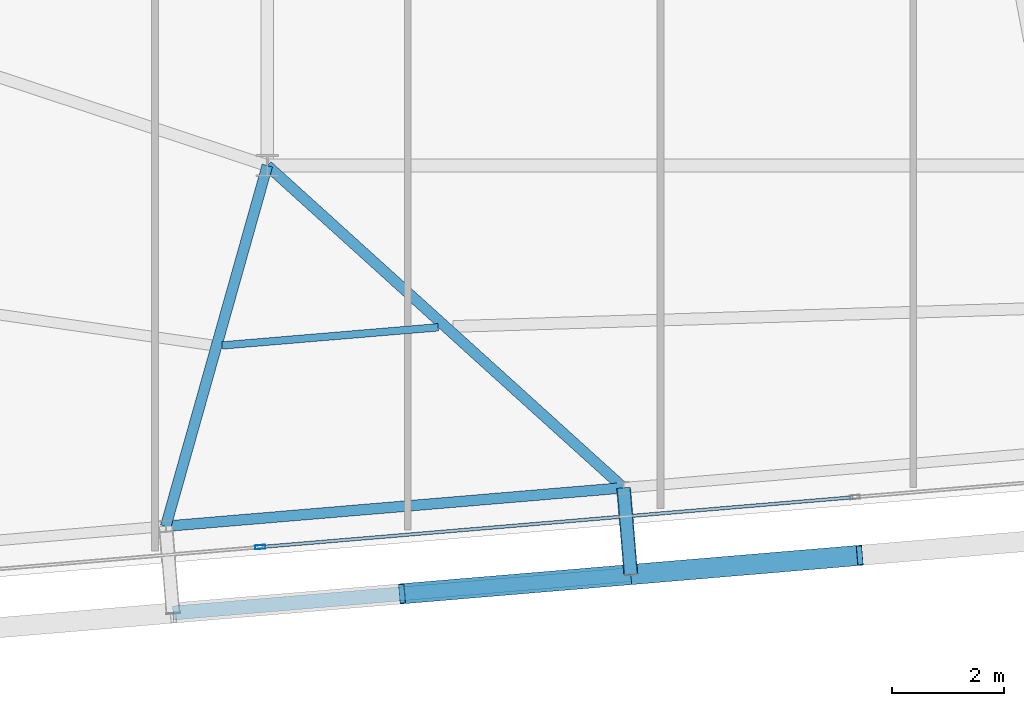
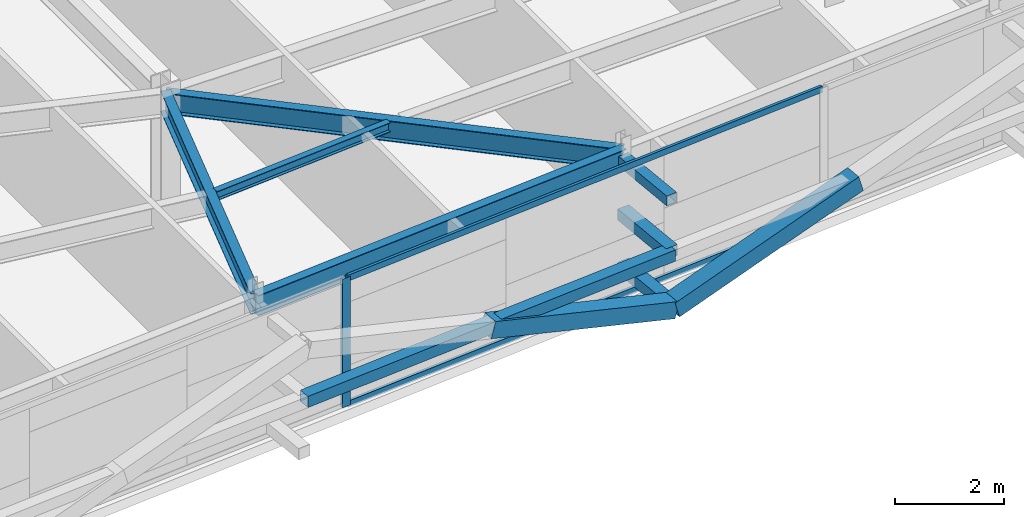
# One storey, part 9 of 39: 9 members, 4 beams, 1 element without a shape of its own.
"""IFC4 building model written with IfcOpenShell, lengths in metres."""

from ifc_helpers import new_model, si_unit, direction, frame, origin, origin_2d, place, context, subcontext, project, spatial, hollow_rectangle, i_section, extrude, source, transform, mapped, material, layer, layer_set, material_profile, profile_set, type_object, element, aggregate, save


model = new_model("IFC4")

# Units and contexts
model_context = context("Model", 3, precision=1e-05, world=origin(), true_north=direction((0.0, 1.0)))
body_context = subcontext(model_context, "Body", "Model", "MODEL_VIEW")
ifc_project = project(units=[si_unit("LENGTHUNIT", "METRE"), si_unit("AREAUNIT", "SQUARE_METRE"), si_unit("VOLUMEUNIT", "CUBIC_METRE"), si_unit("PLANEANGLEUNIT", "RADIAN"), si_unit("MASSUNIT", "GRAM", prefix="KILO")], contexts=[model_context])

# Site, building, storey
site_placement = place(None, origin())
site = spatial("IfcSite", under=ifc_project, at=site_placement, CompositionType="ELEMENT")
building_placement = place(site_placement, origin())
building = spatial("IfcBuilding", under=site, at=building_placement, Name="Taldren Reach Tower", CompositionType="ELEMENT")
storey_placement = place(building_placement, frame((0.0, 0.0, 204.050048828125)))
storey = spatial("IfcBuildingStorey", under=building, at=storey_placement, Name="L62", CompositionType="ELEMENT", Elevation=204.050048828125)

# Members
ifc_material_1 = material(Name="Steel Gr 350 (C350L0)", Category="steel")
ifc_material_profile_1 = material_profile(ifc_material_1, hollow_rectangle(XDim=0.25, YDim=0.25, WallThickness=0.010009765625, at=origin_2d()), Name="250x250x10.0SHS")
ifc_profile_set_1 = profile_set([ifc_material_profile_1], Name="Steel Gr 350 (C350L0)")
member_type_1 = type_object("IfcMemberType", Name="MB-POST250", PredefinedType="POST", material=ifc_profile_set_1)
shared_shape_1 = source(origin(), body_context, "Body", "SweptSolid", [
    extrude(hollow_rectangle(XDim=0.25, YDim=0.25, WallThickness=0.010009765625, at=origin_2d()), origin(), (0.0, 0.0, 1.0), 1.5498046875),
])
for number, where, z_axis, x_axis, name in (
    (1, (34.34228515625, 3.462890625, 0.219970703125), (0.083645141657, -0.996495604746, 0.0), (0.996495604746, 0.083645141657, 0.0), "Exoskeleton base diaphragm tie strut B4-S3 L62"),
    (2, (34.34228515625, 3.462890625, 1.405029296875), (0.083645141657, -0.996495604746, 0.0), (0.996495604746, 0.083645141657, 0.0), "Exoskeleton mid-tier diaphragm tie B4-S3 L62"),
):
    element("IfcMember", number, at=place(storey_placement, frame(where, z_axis=z_axis, x_axis=x_axis)), inside=storey, type_object=member_type_1, Name=name, PredefinedType="POST", context=body_context, shape_type="MappedRepresentation", body=[
        mapped(shared_shape_1, transform((0.0, 0.0, 0.0), scale=1.0)),
    ])

# Beams
ifc_material_2 = material(Name="Steel Gr 350 (350PLUS)", Category="steel")
ifc_material_profile_2 = material_profile(ifc_material_2, i_section(OverallWidth=0.18994140625, OverallDepth=0.4541015625, WebThickness=0.008544921875, FlangeThickness=0.0126953125, at=origin_2d()), Name="460UB67.1")
ifc_profile_set_2 = profile_set([ifc_material_profile_2], Name="Steel Gr 350 (350PLUS)")
beam_type_1 = type_object("IfcBeamType", Name="SP-UB460B", PredefinedType="SPANDREL", material=ifc_profile_set_2)
shared_shape_2 = source(origin(), body_context, "Body", "SweptSolid", [
    extrude(i_section(OverallWidth=0.18994140625, OverallDepth=0.4541015625, WebThickness=0.008544921875, FlangeThickness=0.0126953125, at=origin_2d()), origin(), (0.0, 0.0, 1.0), 8.179931640625),
])
beam_1_placement = place(storey_placement, frame((26.19091796875, 2.778564453125, 2.64306640625), z_axis=(0.996494523218, 0.083658025296, 0.0), x_axis=(-0.083658025296, 0.996494523218, 0.0)))
element("IfcBeam", 3, at=beam_1_placement, inside=storey, type_object=beam_type_1, Name="Perimeter spandrel B4 S2-S3 L62", PredefinedType="SPANDREL", context=body_context, shape_type="MappedRepresentation", body=[
    mapped(shared_shape_2, transform((0.0, 0.0, 0.0), scale=1.0)),
])
ifc_material_profile_3 = material_profile(ifc_material_2, i_section(OverallWidth=0.19091796875, OverallDepth=0.4599609375, WebThickness=0.010009765625, FlangeThickness=0.01611328125, at=origin_2d()), Name="460UB82.1")
ifc_profile_set_3 = profile_set([ifc_material_profile_3], Name="Steel Gr 350 (350PLUS)")
beam_type_2 = type_object("IfcBeamType", Name="BM-UB460A", PredefinedType="BEAM", material=ifc_profile_set_3)
shared_shape_3 = source(origin(), body_context, "Body", "SweptSolid", [
    extrude(i_section(OverallWidth=0.19091796875, OverallDepth=0.4599609375, WebThickness=0.010009765625, FlangeThickness=0.01611328125, at=origin_2d()), origin(), (0.0, 0.0, 1.0), 6.67138671875),
])
beam_2_placement = place(storey_placement, frame((28.0, 9.199951171875, 2.639892578125), z_axis=(-0.271171579948, -0.962531025073, 0.0), x_axis=(0.962531025073, -0.271171579948, 0.0)))
element("IfcBeam", 4, at=beam_2_placement, inside=storey, type_object=beam_type_2, Name="Primary floor girder B4-S2 L62", PredefinedType="BEAM", context=body_context, shape_type="MappedRepresentation", body=[
    mapped(shared_shape_3, transform((0.0, 0.0, 0.0), scale=1.0)),
])
shared_shape_4 = source(origin(), body_context, "Body", "SweptSolid", [
    extrude(i_section(OverallWidth=0.19091796875, OverallDepth=0.4599609375, WebThickness=0.010009765625, FlangeThickness=0.01611328125, at=origin_2d()), origin(), (0.0, 0.0, 1.0), 8.552001953125),
])
beam_3_placement = place(storey_placement, frame((28.0, 9.199951171875, 2.639892578125), z_axis=(0.741605435155, -0.670836327689, 0.0), x_axis=(0.670836327689, 0.741605435155, 0.0)))
element("IfcBeam", 5, at=beam_3_placement, inside=storey, type_object=beam_type_2, Name="Primary floor girder B4-S3 L62", PredefinedType="BEAM", context=body_context, shape_type="MappedRepresentation", body=[
    mapped(shared_shape_4, transform((0.0, 0.0, 0.0), scale=1.0)),
])
ifc_material_3 = material(Name="Steel Gr 300 (300PLUS, 300 MPa)", Category="steel")
ifc_material_profile_4 = material_profile(ifc_material_3, i_section(OverallWidth=0.134033203125, OverallDepth=0.20703125, WebThickness=0.00634765625, FlangeThickness=0.009521484375, at=origin_2d()), Name="200UB29.8")
ifc_profile_set_4 = profile_set([ifc_material_profile_4], Name="Steel Gr 300 (300PLUS, 300 MPa)")
beam_type_3 = type_object("IfcBeamType", Name="JS-UB200", PredefinedType="JOIST", material=ifc_profile_set_4)
shared_shape_5 = source(origin(), body_context, "Body", "SweptSolid", [
    extrude(i_section(OverallWidth=0.134033203125, OverallDepth=0.20703125, WebThickness=0.00634765625, FlangeThickness=0.009521484375, at=origin_2d()), origin(), (0.0, 0.0, 1.0), 3.857177734375),
])
beam_4_placement = place(storey_placement, frame((27.197021484375, 5.997802734375, 2.766357421875), z_axis=(0.996493179166, 0.083674033464, 0.0), x_axis=(-0.083674033464, 0.996493179166, 0.0)))
element("IfcBeam", 6, at=beam_4_placement, inside=storey, type_object=beam_type_3, Name="Secondary floor joist B4 J2 L62", PredefinedType="JOIST", context=body_context, shape_type="MappedRepresentation", body=[
    mapped(shared_shape_5, transform((0.0, 0.0, 0.0), scale=1.0)),
])

# Members
ifc_material_4 = material(Name="Steel Gr 450 (C450L0)", Category="steel")
ifc_material_profile_5 = material_profile(ifc_material_4, hollow_rectangle(XDim=0.219970703125, YDim=0.219970703125, WallThickness=0.00830078125, at=origin_2d()), Name="220x220x8.2SHS")
ifc_profile_set_5 = profile_set([ifc_material_profile_5], Name="Steel Gr 450 (C450L0)")
member_type_2 = type_object("IfcMemberType", Name="MB-TIE219", PredefinedType="STRUT", material=ifc_profile_set_5)
shared_shape_6 = source(origin(), body_context, "Body", "SweptSolid", [
    extrude(hollow_rectangle(XDim=0.219970703125, YDim=0.219970703125, WallThickness=0.00830078125, at=origin_2d()), origin(), (0.0, 0.0, 1.0), 1.5498046875),
])
member_1_placement = place(storey_placement, frame((34.34228515625, 3.462890625, 2.58984375), z_axis=(0.083645141657, -0.996495604746, 0.0), x_axis=(0.996495604746, 0.083645141657, 0.0)))
element("IfcMember", 7, at=member_1_placement, inside=storey, type_object=member_type_2, Name="Exoskeleton diaphragm tie strut B4-S3 L62", PredefinedType="STRUT", context=body_context, shape_type="MappedRepresentation", body=[
    mapped(shared_shape_6, transform((0.0, 0.0, 0.0), scale=1.0)),
])
shared_shape_7 = source(origin(), body_context, "Body", "SweptSolid", [
    extrude(hollow_rectangle(XDim=0.25, YDim=0.25, WallThickness=0.010009765625, at=origin_2d()), origin(), (0.0, 0.0, 1.0), 8.18017578125),
])
member_2_placement = place(storey_placement, frame((26.320556640625, 1.23388671875, 1.405029296875), z_axis=(0.996492034688, 0.083687662192, 0.0), x_axis=(-0.083687662192, 0.996492034688, 0.0)))
element("IfcMember", 8, at=member_2_placement, inside=storey, type_object=member_type_1, Name="Exoskeleton mid-height ring chord B4-S2 L62", PredefinedType="POST", context=body_context, shape_type="MappedRepresentation", body=[
    mapped(shared_shape_7, transform((0.0, 0.0, 0.0), scale=1.0)),
])
ifc_material_profile_6 = material_profile(ifc_material_4, hollow_rectangle(XDim=0.360107421875, YDim=0.360107421875, WallThickness=0.0126953125, at=origin_2d()), Name="360x360x12.7SHS")
ifc_profile_set_6 = profile_set([ifc_material_profile_6], Name="Steel Gr 450 (C450L0)")
member_type_3 = type_object("IfcMemberType", Name="MB-EXO356", PredefinedType="BRACE", material=ifc_profile_set_6)
shared_shape_8 = source(origin(), body_context, "Body", "SweptSolid", [
    extrude(hollow_rectangle(XDim=0.360107421875, YDim=0.360107421875, WallThickness=0.0126953125, at=origin_2d()), origin(), (0.0, 0.0, 1.0), 4.25830078125),
])
for number, where, z_axis, x_axis, name in (
    (9, (34.471923828125, 1.91845703125, 0.219970703125), (-0.957125719227, -0.080381589694, 0.278296887572), (0.083687662192, -0.996492034688, 0.0), "Exoskeleton Diagrid Brace B4-S2 L62"),
    (10, (34.471923828125, 1.91845703125, 0.219970703125), (0.957125719227, 0.080381589694, 0.278296887572), (-0.083687662192, 0.996492034688, 0.0), "Exoskeleton Diagrid Brace B4-S3 L62"),
):
    element("IfcMember", number, at=place(storey_placement, frame(where, z_axis=z_axis, x_axis=x_axis)), inside=storey, type_object=member_type_3, Name=name, PredefinedType="BRACE", context=body_context, shape_type="MappedRepresentation", body=[
        mapped(shared_shape_8, transform((0.0, 0.0, 0.0), scale=1.0)),
    ])

# Curtain wall, members
ifc_material_5 = material(Name="Aluminium and Low-E Glass Unitised System", Category="aluminium")
ifc_layer = layer(ifc_material_5, 0.159912109375)
ifc_layer_set = layer_set([ifc_layer], Name="Aluminium and Low-E Glass Unitised System")
curtain_wall_type = type_object("IfcCurtainWallType", Name="CW-SYS-5", PredefinedType="NOTDEFINED", material=ifc_layer_set)
curtain_wall_placement = place(storey_placement, origin())
curtain_wall = element("IfcCurtainWall", 11, at=curtain_wall_placement, inside=storey, type_object=curtain_wall_type, Name="Unitised curtain wall CW-L62-S", PredefinedType="NOTDEFINED")
ifc_material_6 = material(Name="Anodised Aluminium 6063-T6", Category="aluminium")
ifc_material_profile_7 = material_profile(ifc_material_6, hollow_rectangle(XDim=0.070068359375, YDim=0.179931640625, WallThickness=0.00390625, at=origin_2d()), Name="ALU-180x70x4RHS")
ifc_profile_set_7 = profile_set([ifc_material_profile_7], Name="Anodised Aluminium 6063-T6")
member_type_4 = type_object("IfcMemberType", Name="CW-MUL-180", PredefinedType="MULLION", material=ifc_profile_set_7)
shared_shape_9 = source(origin(), body_context, "Body", "SweptSolid", [
    extrude(hollow_rectangle(XDim=0.070068359375, YDim=0.179931640625, WallThickness=0.00390625, at=origin_2d()), origin(), (0.0, 0.0, 1.0), 2.869873046875),
])
member_3_placement = place(storey_placement, frame((27.872802734375, 2.407958984375, 0.0), z_axis=(0.0, 0.0, 1.0), x_axis=(-0.083677894865, 0.996492854922, 0.0)))
member_3 = element("IfcMember", 12, at=member_3_placement, type_object=member_type_4, Name="CW-5 mullion 2", PredefinedType="MULLION", context=body_context, shape_type="MappedRepresentation", body=[
    mapped(shared_shape_9, transform((0.0, 0.0, 0.0), scale=1.0)),
])
ifc_material_profile_8 = material_profile(ifc_material_6, hollow_rectangle(XDim=0.06005859375, YDim=0.135009765625, WallThickness=0.00341796875, at=origin_2d()), Name="ALU-135x60x3.5RHS")
ifc_profile_set_8 = profile_set([ifc_material_profile_8], Name="Anodised Aluminium 6063-T6")
member_type_5 = type_object("IfcMemberType", Name="CW-TRN-150", PredefinedType="USERDEFINED", material=ifc_profile_set_8)
shared_shape_10 = source(origin(), body_context, "Body", "SweptSolid", [
    extrude(hollow_rectangle(XDim=0.06005859375, YDim=0.135009765625, WallThickness=0.00341796875, at=origin_2d()), origin(), (0.0, 0.0, 1.0), 10.55517578125),
])
member_4_placement = place(storey_placement, frame((27.90771484375, 2.410888671875, 0.030029296875), z_axis=(0.996492274094, 0.083684811468, 0.0), x_axis=(-0.083684811468, 0.996492274094, 0.0)))
member_4 = element("IfcMember", 13, at=member_4_placement, type_object=member_type_5, Name="CW-5 transom 2.1", ObjectType="TRANSOM", PredefinedType="USERDEFINED", context=body_context, shape_type="MappedRepresentation", body=[
    mapped(shared_shape_10, transform((0.0, 0.0, 0.0), scale=1.0)),
])
member_5_placement = place(storey_placement, frame((27.90771484375, 2.410888671875, 2.83984375), z_axis=(0.996492274094, 0.083684811468, 0.0), x_axis=(-0.083684811468, 0.996492274094, 0.0)))
member_5 = element("IfcMember", 14, at=member_5_placement, type_object=member_type_5, Name="CW-5 transom 2.2", ObjectType="TRANSOM", PredefinedType="USERDEFINED", context=body_context, shape_type="MappedRepresentation", body=[
    mapped(shared_shape_10, transform((0.0, 0.0, 0.0), scale=1.0)),
])
aggregate(curtain_wall, [member_3, member_4, member_5])

save(model, "model.ifc")
